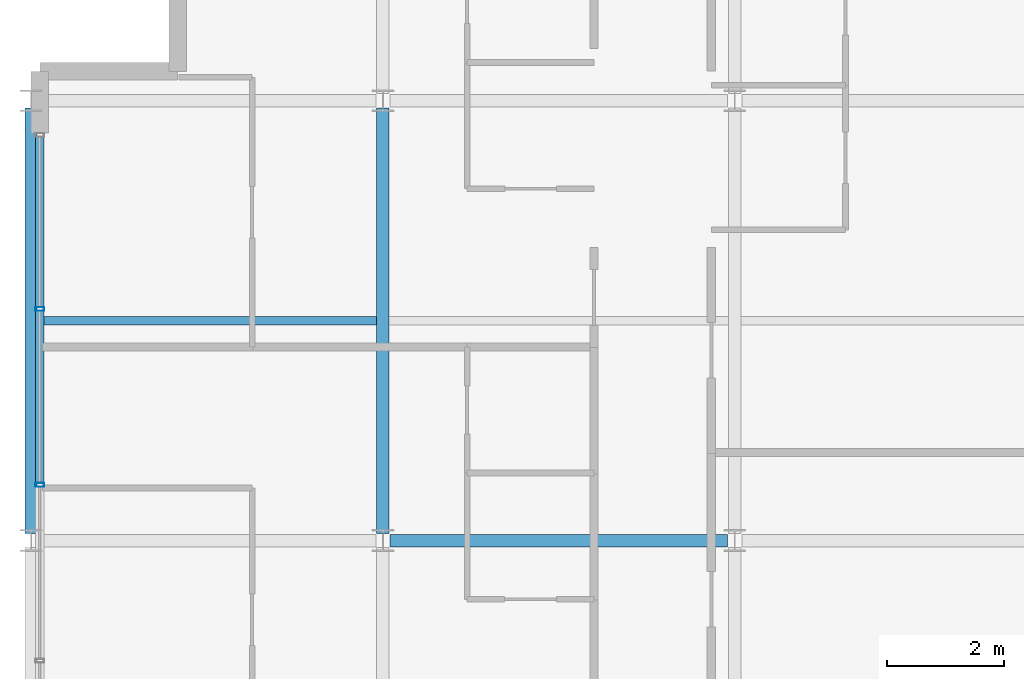
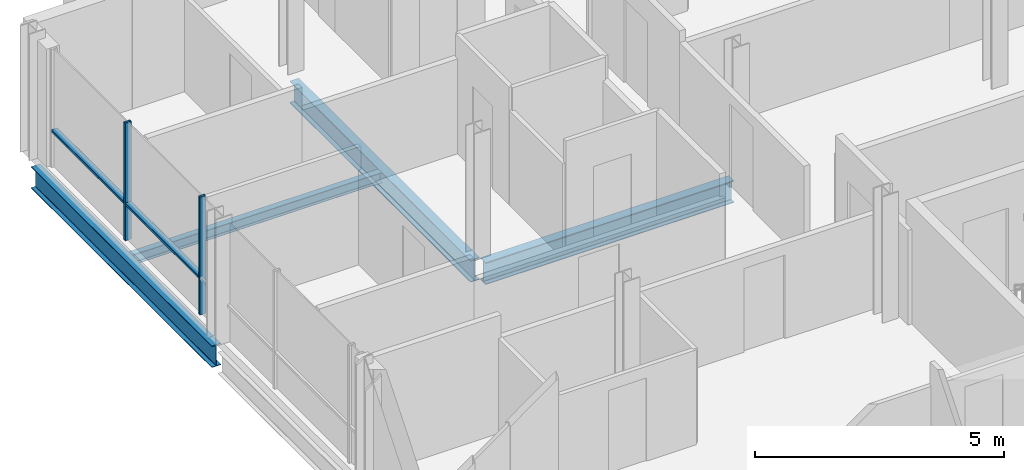
# One storey, part 6 of 29: 4 beams, 4 members, 1 element without a shape of its own.
"""IFC4 building model written with IfcOpenShell, lengths in metres."""

from ifc_helpers import new_model, si_unit, direction, frame, origin, origin_2d, place, context, subcontext, project, spatial, hollow_rectangle, i_section, extrude, material, layer, layer_set, material_profile, profile_set, type_object, element, aggregate, save


model = new_model("IFC4")

# Units and contexts
model_context = context("Model", 3, precision=1e-05, world=origin(), true_north=direction((0.0, 1.0)))
body_context = subcontext(model_context, "Body", "Model", "MODEL_VIEW")
ifc_project = project(units=[si_unit("LENGTHUNIT", "METRE"), si_unit("AREAUNIT", "SQUARE_METRE"), si_unit("VOLUMEUNIT", "CUBIC_METRE"), si_unit("PLANEANGLEUNIT", "RADIAN"), si_unit("MASSUNIT", "GRAM", prefix="KILO")], contexts=[model_context])

# Site, building, storey
site_placement = place(None, origin())
site = spatial("IfcSite", under=ifc_project, at=site_placement, CompositionType="ELEMENT")
building_placement = place(site_placement, origin())
building = spatial("IfcBuilding", under=site, at=building_placement, Name="Brevholm Reach", CompositionType="ELEMENT")
storey_placement = place(building_placement, frame((0.0, 0.0, 201.800048828125)))
storey = spatial("IfcBuildingStorey", under=building, at=storey_placement, Name="L61", CompositionType="ELEMENT", Elevation=201.800048828125)

# Beams
ifc_material_1 = material(Name="Structural Steel S355J2", Category="steel")
ifc_material_profile_1 = material_profile(ifc_material_1, i_section(OverallWidth=0.14599609375, OverallDepth=0.25146484375, WebThickness=0.006103515625, FlangeThickness=0.008544921875, FilletRadius=0.007568359375, at=origin_2d()), Name="UKB 254x146x31")
ifc_profile_set_1 = profile_set([ifc_material_profile_1], Name="Structural Steel S355J2")
beam_type_1 = type_object("IfcBeamType", Name="BM-B254", PredefinedType="BEAM", material=ifc_profile_set_1)
beam_1_placement = place(storey_placement, frame((0.104736328125, 19.75, -0.335693359375), z_axis=(1.0, 0.0, 0.0), x_axis=(0.0, 1.0, 0.0)))
element("IfcBeam", 1, at=beam_1_placement, inside=storey, type_object=beam_type_1, Name="L61 Composite Secondary Floor Beam", PredefinedType="BEAM", context=body_context, shape_type="SweptSolid", body=[
    extrude(i_section(OverallWidth=0.14599609375, OverallDepth=0.25146484375, WebThickness=0.006103515625, FlangeThickness=0.008544921875, FilletRadius=0.007568359375, at=origin_2d()), origin(), (0.0, 0.0, 1.0), 5.789794921875),
])
ifc_material_2 = material(Name="Structural Steel S355J2", Category="steel")
ifc_material_profile_2 = material_profile(ifc_material_2, i_section(OverallWidth=0.209228515625, OverallDepth=0.533203125, WebThickness=0.010009765625, FlangeThickness=0.015625, FilletRadius=0.0126953125, at=origin_2d()), Name="UKB 533x210x92")
ifc_profile_set_2 = profile_set([ifc_material_profile_2], Name="Structural Steel S355J2")
beam_type_2 = type_object("IfcBeamType", Name="BM-SP533", PredefinedType="SPANDREL", material=ifc_profile_set_2)
beam_2_placement = place(storey_placement, frame((0.0, 16.1201171875, -0.4765625), z_axis=(0.0, 1.0, 0.0), x_axis=(-1.0, 0.0, 0.0)))
element("IfcBeam", 2, at=beam_2_placement, inside=storey, type_object=beam_type_2, Name="L61 SP-02 Framing Beam", PredefinedType="SPANDREL", context=body_context, shape_type="SweptSolid", body=[
    extrude(i_section(OverallWidth=0.209228515625, OverallDepth=0.533203125, WebThickness=0.010009765625, FlangeThickness=0.015625, FilletRadius=0.0126953125, at=origin_2d()), origin(), (0.0, 0.0, 1.0), 7.259765625),
])
ifc_material_3 = material(Name="Structural Steel S355J2", Category="steel")
ifc_material_profile_3 = material_profile(ifc_material_3, i_section(OverallWidth=0.210693359375, OverallDepth=0.53955078125, WebThickness=0.01171875, FlangeThickness=0.018798828125, FilletRadius=0.0126953125, at=origin_2d()), Name="UKB 533x210x109")
ifc_profile_set_3 = profile_set([ifc_material_profile_3], Name="Structural Steel S355J2")
beam_type_3 = type_object("IfcBeamType", Name="BM-SP539", PredefinedType="SPANDREL", material=ifc_profile_set_3)
beam_3_placement = place(storey_placement, frame((6.1201171875, 16.0, -0.479736328125), z_axis=(1.0, 0.0, 0.0), x_axis=(0.0, 1.0, 0.0)))
element("IfcBeam", 3, at=beam_3_placement, inside=storey, type_object=beam_type_3, Name="L61 SP-01B Framing Beam", PredefinedType="SPANDREL", context=body_context, shape_type="SweptSolid", body=[
    extrude(i_section(OverallWidth=0.210693359375, OverallDepth=0.53955078125, WebThickness=0.01171875, FlangeThickness=0.018798828125, FilletRadius=0.0126953125, at=origin_2d()), origin(), (0.0, 0.0, 1.0), 5.759765625),
])
beam_4_placement = place(storey_placement, frame((6.0, 16.1201171875, -0.479736328125), z_axis=(0.0, 1.0, 0.0), x_axis=(-1.0, 0.0, 0.0)))
element("IfcBeam", 4, at=beam_4_placement, inside=storey, type_object=beam_type_3, Name="L61 SP-01B Framing Beam", PredefinedType="SPANDREL", context=body_context, shape_type="SweptSolid", body=[
    extrude(i_section(OverallWidth=0.210693359375, OverallDepth=0.53955078125, WebThickness=0.01171875, FlangeThickness=0.018798828125, FilletRadius=0.0126953125, at=origin_2d()), origin(), (0.0, 0.0, 1.0), 7.259765625),
])

# Curtain wall, members
ifc_material_4 = material(Name="Dark Anodised Aluminium 6063-T6 and Solar-Control Glass", Category="aluminium")
ifc_layer = layer(ifc_material_4, 0.14990234375)
ifc_layer_set = layer_set([ifc_layer], Name="Dark Anodised Aluminium 6063-T6 and Solar-Control Glass")
curtain_wall_type = type_object("IfcCurtainWallType", Name="CW-01", PredefinedType="NOTDEFINED", material=ifc_layer_set)
curtain_wall_placement = place(storey_placement, origin())
curtain_wall = element("IfcCurtainWall", 5, at=curtain_wall_placement, inside=storey, type_object=curtain_wall_type, Name="L61 Curtain Wall CW-01", PredefinedType="NOTDEFINED")
ifc_material_5 = material(Name="Dark Anodised Aluminium 6063-T6", Category="aluminium")
ifc_material_profile_4 = material_profile(ifc_material_5, hollow_rectangle(XDim=0.06494140625, YDim=0.14990234375, WallThickness=0.0048828125, InnerFilletRadius=0.0048828125, OuterFilletRadius=0.010009765625, at=origin_2d()), Name="RHS 150x65x5")
ifc_profile_set_4 = profile_set([ifc_material_profile_4], Name="Dark Anodised Aluminium 6063-T6")
member_type_1 = type_object("IfcMemberType", Name="CWM-150", PredefinedType="MULLION", material=ifc_profile_set_4)
member_1_placement = place(storey_placement, frame((0.14990234375, 19.949951171875, 0.0), z_axis=(0.0, 0.0, 1.0), x_axis=(0.0, -1.0, 0.0)))
member_1 = element("IfcMember", 6, at=member_1_placement, type_object=member_type_1, Name="CM-150 Mullion 2", PredefinedType="MULLION", context=body_context, shape_type="SweptSolid", body=[
    extrude(hollow_rectangle(XDim=0.06494140625, YDim=0.14990234375, WallThickness=0.0048828125, InnerFilletRadius=0.0048828125, OuterFilletRadius=0.010009765625, at=origin_2d()), origin(), (0.0, 0.0, 1.0), 2.889892578125),
])
member_2_placement = place(storey_placement, frame((0.14990234375, 16.949951171875, 0.0), z_axis=(0.0, 0.0, 1.0), x_axis=(0.0, -1.0, 0.0)))
member_2 = element("IfcMember", 7, at=member_2_placement, type_object=member_type_1, Name="CM-150 Mullion 3", PredefinedType="MULLION", context=body_context, shape_type="SweptSolid", body=[
    extrude(hollow_rectangle(XDim=0.06494140625, YDim=0.14990234375, WallThickness=0.0048828125, InnerFilletRadius=0.0048828125, OuterFilletRadius=0.010009765625, at=origin_2d()), origin(), (0.0, 0.0, 1.0), 2.889892578125),
])
ifc_material_6 = material(Name="Dark Anodised Aluminium 6063-T6", Category="aluminium")
ifc_material_profile_5 = material_profile(ifc_material_6, hollow_rectangle(XDim=0.06494140625, YDim=0.14990234375, WallThickness=0.0048828125, InnerFilletRadius=0.0048828125, OuterFilletRadius=0.010009765625, at=origin_2d()), Name="RHS 150x65x5")
ifc_profile_set_5 = profile_set([ifc_material_profile_5], Name="Dark Anodised Aluminium 6063-T6")
member_type_2 = type_object("IfcMemberType", Name="CWT-150", PredefinedType="NOTDEFINED", material=ifc_profile_set_5)
member_3_placement = place(storey_placement, frame((0.14990234375, 22.885009765625, 0.89990234375), z_axis=(0.0, -1.0, 0.0), x_axis=(0.0, 0.0, 1.0)))
member_3 = element("IfcMember", 8, at=member_3_placement, type_object=member_type_2, Name="CT-150 Transom 1.1", ObjectType="TRANSOM", PredefinedType="USERDEFINED", context=body_context, shape_type="SweptSolid", body=[
    extrude(hollow_rectangle(XDim=0.06494140625, YDim=0.14990234375, WallThickness=0.0048828125, InnerFilletRadius=0.0048828125, OuterFilletRadius=0.010009765625, at=origin_2d()), origin(), (0.0, 0.0, 1.0), 2.902587890625),
])
member_4_placement = place(storey_placement, frame((0.14990234375, 19.91748046875, 0.89990234375), z_axis=(0.0, -1.0, 0.0), x_axis=(0.0, 0.0, 1.0)))
member_4 = element("IfcMember", 9, at=member_4_placement, type_object=member_type_2, Name="CT-150 Transom 2.1", ObjectType="TRANSOM", PredefinedType="USERDEFINED", context=body_context, shape_type="SweptSolid", body=[
    extrude(hollow_rectangle(XDim=0.06494140625, YDim=0.14990234375, WallThickness=0.0048828125, InnerFilletRadius=0.0048828125, OuterFilletRadius=0.010009765625, at=origin_2d()), origin(), (0.0, 0.0, 1.0), 2.93505859375),
])
aggregate(curtain_wall, [member_1, member_2, member_3, member_4])

save(model, "model.ifc")
